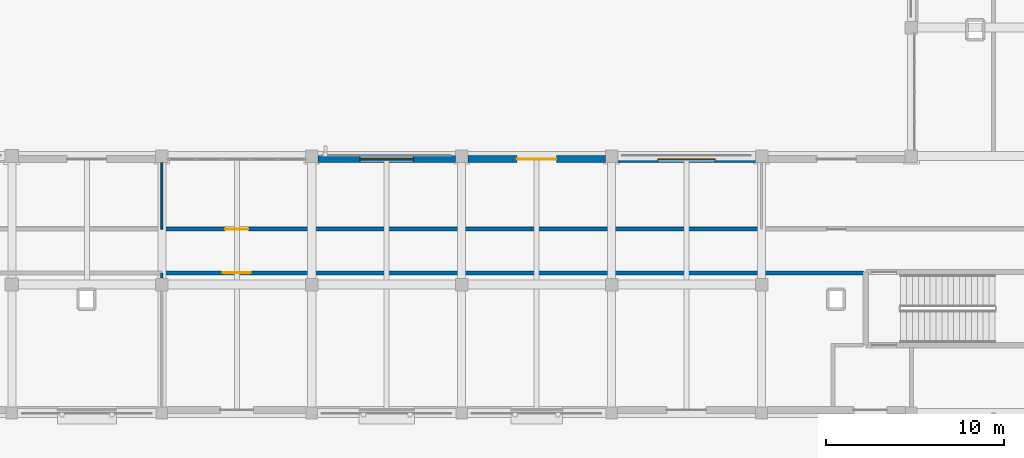
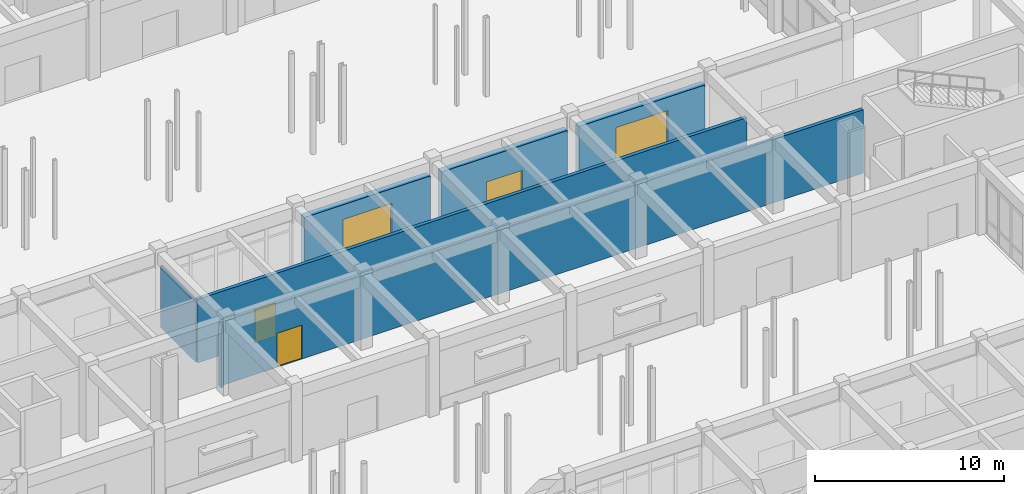
# One storey, part 80 of 121: 7 walls, 3 doors, 2 windows, 5 openings.
"""IFC4 building model written with IfcOpenShell, lengths in metres."""

from ifc_helpers import new_model, si_unit, direction, frame, frame_2d, origin, place, context, subcontext, project, spatial, rectangle, extrude, material, layer, layer_set, type_object, element, fill, save


model = new_model("IFC4")

# Units and contexts
model_context = context("Model", 3, precision=1e-05, world=origin(), true_north=direction((0.0, 1.0)))
body_context = subcontext(model_context, "Body", "Model", "MODEL_VIEW")
ifc_project = project(units=[si_unit("LENGTHUNIT", "METRE"), si_unit("AREAUNIT", "SQUARE_METRE"), si_unit("VOLUMEUNIT", "CUBIC_METRE"), si_unit("PLANEANGLEUNIT", "RADIAN"), si_unit("MASSUNIT", "GRAM", prefix="KILO")], contexts=[model_context])

# Site, building, storey
site_placement = place(None, origin())
site = spatial("IfcSite", under=ifc_project, at=site_placement, CompositionType="ELEMENT")
building_placement = place(site_placement, origin())
building = spatial("IfcBuilding", under=site, at=building_placement, Name="Malvenik Polytechnic", CompositionType="ELEMENT")
storey_placement = place(building_placement, origin())
storey = spatial("IfcBuildingStorey", under=building, at=storey_placement, Name="L00", CompositionType="ELEMENT", Elevation=0.0)

# Wall, opening, window
ifc_material_1 = material(Name="Concrete C30/37", Category="concrete")
ifc_layer_1 = layer(ifc_material_1, 0.3798828125)
ifc_layer_set_1 = layer_set([ifc_layer_1], Name="Concrete C30/37")
wall_type_1 = type_object("IfcWallType", Name="ARC-EW-380", PredefinedType="SOLIDWALL", material=ifc_layer_set_1)
wall_1_placement = place(storey_placement, frame((42.347900390625, 93.429931640625, 0.0), z_axis=(0.0, 0.0, 1.0), x_axis=(1.0, 0.0, 0.0)))
wall_1 = element("IfcWall", 1, at=wall_1_placement, inside=storey, type_object=wall_type_1, Name="External Facade Wall EW-01 L00 #68", PredefinedType="SOLIDWALL", context=body_context, shape_type="SweptSolid", body=[
    extrude(rectangle(XDim=7.7041015625, YDim=0.3798828125, at=frame_2d((3.85205078125, 0.0))), origin(), (0.0, 0.0, 1.0), 4.010009765625),
])
opening_1_placement = place(wall_1_placement, frame((2.35205078125, 0.0, 0.949951171875)))
opening_1 = element("IfcOpeningElement", 2, at=opening_1_placement, cuts=wall_1, Name="Opening W-08", PredefinedType="OPENING", context=body_context, shape_type="SweptSolid", body=[
    extrude(rectangle(XDim=3.0, YDim=2.10009765625, at=frame_2d((1.5, 1.050048828125))), frame((0.0, 0.199951171875, 0.0), z_axis=(0.0, -1.0, 0.0), x_axis=(1.0, 0.0, 0.0)), (0.0, 0.0, 1.0), 0.39990234375),
])
ifc_material_2 = material(Name="Thermally broken aluminium frame with low-E double glazing", Category="aluminium")
window_type_1 = type_object("IfcWindowType", Name="ARC-WIN-W-08", PartitioningType="SINGLE_PANEL", PredefinedType="WINDOW", material=ifc_material_2)
window_1_placement = place(opening_1_placement, origin())
window_1 = element("IfcWindow", 3, at=window_1_placement, inside=storey, type_object=window_type_1, Name="Punched Window W-08 L00 #34", OverallHeight=2.10009765625, OverallWidth=3.0, PartitioningType="SINGLE_PANEL", PredefinedType="WINDOW", context=body_context, shape_type="SweptSolid", body=[
    extrude(rectangle(XDim=3.0, YDim=2.10009765625, at=frame_2d((1.5, 1.050048828125))), frame((0.0, 0.030029296875, 0.0), z_axis=(0.0, -1.0, 0.0), x_axis=(1.0, 0.0, 0.0)), (0.0, 0.0, 1.0), 0.06005859375),
])
fill(opening_1, window_1)

# Wall, opening, door
wall_2_placement = place(storey_placement, frame((50.748046875, 93.429931640625, 0.0), z_axis=(0.0, 0.0, 1.0), x_axis=(1.0, 0.0, 0.0)))
wall_2 = element("IfcWall", 4, at=wall_2_placement, inside=storey, type_object=wall_type_1, Name="External Facade Wall EW-01 L00 #69", PredefinedType="SOLIDWALL", context=body_context, shape_type="SweptSolid", body=[
    extrude(rectangle(XDim=7.703857421875, YDim=0.3798828125, at=frame_2d((3.85205078125, 0.0))), origin(), (0.0, 0.0, 1.0), 4.010009765625),
])
opening_2_placement = place(wall_2_placement, frame((2.751953125, 0.0, 0.0)))
opening_2 = element("IfcOpeningElement", 5, at=opening_2_placement, cuts=wall_2, Name="Opening ED-02", PredefinedType="OPENING", context=body_context, shape_type="SweptSolid", body=[
    extrude(rectangle(XDim=2.199951171875, YDim=2.39990234375, at=frame_2d((1.10009765625, 1.199951171875))), frame((0.0, 0.199951171875, 0.0), z_axis=(0.0, -1.0, 0.0), x_axis=(1.0, 0.0, 0.0)), (0.0, 0.0, 1.0), 0.39990234375),
])
ifc_material_3 = material(Name="Thermally broken glazed aluminium entrance door", Category="aluminium")
door_type_1 = type_object("IfcDoorType", Name="ARC-EDR-ED-02", OperationType="NOTDEFINED", PredefinedType="DOOR", material=ifc_material_3)
door_1_placement = place(opening_2_placement, origin())
door_1 = element("IfcDoor", 6, at=door_1_placement, inside=storey, type_object=door_type_1, Name="External Door ED-02 L00 #17", OperationType="DOUBLE_DOOR_SINGLE_SWING", OverallHeight=2.39990234375, OverallWidth=2.199951171875, PredefinedType="DOOR", context=body_context, shape_type="SweptSolid", body=[
    extrude(rectangle(XDim=2.199951171875, YDim=2.39990234375, at=frame_2d((1.10009765625, 1.199951171875))), frame((0.0, 0.02490234375, 0.0), z_axis=(0.0, -1.0, 0.0), x_axis=(1.0, 0.0, 0.0)), (0.0, 0.0, 1.0), 0.050048828125),
])
fill(opening_2, door_1)

# Wall, opening, window
wall_3_placement = place(storey_placement, frame((59.14794921875, 93.429931640625, 0.0), z_axis=(0.0, 0.0, 1.0), x_axis=(1.0, 0.0, 0.0)))
wall_3 = element("IfcWall", 7, at=wall_3_placement, inside=storey, type_object=wall_type_1, Name="External Facade Wall EW-01 L00 #70", PredefinedType="SOLIDWALL", context=body_context, shape_type="SweptSolid", body=[
    extrude(rectangle(XDim=7.7041015625, YDim=0.3798828125, at=frame_2d((3.85205078125, 0.0))), origin(), (0.0, 0.0, 1.0), 4.010009765625),
])
opening_3_placement = place(wall_3_placement, frame((2.251953125, 0.0, 0.949951171875)))
opening_3 = element("IfcOpeningElement", 8, at=opening_3_placement, cuts=wall_3, Name="Opening W-09", PredefinedType="OPENING", context=body_context, shape_type="SweptSolid", body=[
    extrude(rectangle(XDim=3.199951171875, YDim=2.199951171875, at=frame_2d((1.60009765625, 1.10009765625))), frame((0.0, 0.199951171875, 0.0), z_axis=(0.0, -1.0, 0.0), x_axis=(1.0, 0.0, 0.0)), (0.0, 0.0, 1.0), 0.39990234375),
])
window_type_2 = type_object("IfcWindowType", Name="ARC-WIN-W-09", PartitioningType="SINGLE_PANEL", PredefinedType="WINDOW", material=ifc_material_2)
window_2_placement = place(opening_3_placement, origin())
window_2 = element("IfcWindow", 9, at=window_2_placement, inside=storey, type_object=window_type_2, Name="Punched Window W-09 L00 #35", OverallHeight=2.199951171875, OverallWidth=3.199951171875, PartitioningType="SINGLE_PANEL", PredefinedType="WINDOW", context=body_context, shape_type="SweptSolid", body=[
    extrude(rectangle(XDim=3.199951171875, YDim=2.199951171875, at=frame_2d((1.60009765625, 1.10009765625))), frame((0.0, 0.030029296875, 0.0), z_axis=(0.0, -1.0, 0.0), x_axis=(1.0, 0.0, 0.0)), (0.0, 0.0, 1.0), 0.06005859375),
])
fill(opening_3, window_2)

# Wall, opening, door
ifc_material_4 = material(Name="Autoclaved aerated concrete blockwork 220mm", Category="masonry")
ifc_layer_2 = layer(ifc_material_4, 0.219970703125)
ifc_layer_set_2 = layer_set([ifc_layer_2], Name="Autoclaved aerated concrete blockwork 220mm")
wall_type_2 = type_object("IfcWallType", Name="ARC-FW-220", PredefinedType="SOLIDWALL", material=ifc_layer_set_2)
wall_4_placement = place(storey_placement, frame((33.60009765625, 89.5, 0.0), z_axis=(0.0, 0.0, 1.0), x_axis=(1.0, 0.0, 0.0)))
wall_4 = element("IfcWall", 10, at=wall_4_placement, inside=storey, type_object=wall_type_2, Name="Interior Partition FW-01 L00 #72", PredefinedType="SOLIDWALL", context=body_context, shape_type="SweptSolid", body=[
    extrude(rectangle(XDim=33.599853515625, YDim=0.219970703125, at=frame_2d((16.7998046875, 0.0))), origin(), (0.0, 0.0, 1.0), 4.10498046875),
])
opening_4_placement = place(wall_4_placement, frame((3.550048828125, 0.0, 0.0)))
opening_4 = element("IfcOpeningElement", 11, at=opening_4_placement, cuts=wall_4, Name="Opening FD-04", PredefinedType="OPENING", context=body_context, shape_type="SweptSolid", body=[
    extrude(rectangle(XDim=1.300048828125, YDim=2.14990234375, at=frame_2d((0.64990234375, 1.074951171875))), frame((0.0, 0.1201171875, 0.0), z_axis=(0.0, -1.0, 0.0), x_axis=(1.0, 0.0, 0.0)), (0.0, 0.0, 1.0), 0.239990234375),
])
ifc_material_5 = material(Name="Fire-rated plant room steel door", Category="steel")
door_type_2 = type_object("IfcDoorType", Name="ARC-IDR-FD-04", OperationType="NOTDEFINED", PredefinedType="DOOR", material=ifc_material_5)
door_2_placement = place(opening_4_placement, origin())
door_2 = element("IfcDoor", 12, at=door_2_placement, inside=storey, type_object=door_type_2, Name="Interior Door FD-04 L00 #34", OperationType="SINGLE_SWING_RIGHT", OverallHeight=2.14990234375, OverallWidth=1.300048828125, PredefinedType="DOOR", context=body_context, shape_type="SweptSolid", body=[
    extrude(rectangle(XDim=1.300048828125, YDim=2.14990234375, at=frame_2d((0.64990234375, 1.074951171875))), frame((0.0, 0.02490234375, 0.0), z_axis=(0.0, -1.0, 0.0), x_axis=(1.0, 0.0, 0.0)), (0.0, 0.0, 1.0), 0.050048828125),
])
fill(opening_4, door_2)

wall_5_placement = place(storey_placement, frame((72.909912109375, 87.050048828125, 0.0), z_axis=(0.0, 0.0, 1.0), x_axis=(-1.0, 0.0, 0.0)))
wall_5 = element("IfcWall", 13, at=wall_5_placement, inside=storey, type_object=wall_type_2, Name="Interior Partition FW-01 L00 #82", PredefinedType="SOLIDWALL", context=body_context, shape_type="SweptSolid", body=[
    extrude(rectangle(XDim=39.309814453125, YDim=0.219970703125, at=frame_2d((19.65478515625, 0.0))), origin(), (0.0, 0.0, 1.0), 4.10498046875),
])
opening_5_placement = place(wall_5_placement, frame((34.3349609375, 0.0, 0.0)))
opening_5 = element("IfcOpeningElement", 14, at=opening_5_placement, cuts=wall_5, Name="Opening FD-09", PredefinedType="OPENING", context=body_context, shape_type="SweptSolid", body=[
    extrude(rectangle(XDim=1.550048828125, YDim=2.199951171875, at=frame_2d((0.77490234375, 1.10009765625))), frame((0.0, 0.1201171875, 0.0), z_axis=(0.0, -1.0, 0.0), x_axis=(1.0, 0.0, 0.0)), (0.0, 0.0, 1.0), 0.239990234375),
])
ifc_material_6 = material(Name="Fire-rated studio corridor double door", Category="steel")
door_type_3 = type_object("IfcDoorType", Name="ARC-IDR-FD-09", OperationType="NOTDEFINED", PredefinedType="DOOR", material=ifc_material_6)
door_3_placement = place(opening_5_placement, origin())
door_3 = element("IfcDoor", 15, at=door_3_placement, inside=storey, type_object=door_type_3, Name="Interior Door FD-09 L00 #38", OperationType="DOUBLE_DOOR_SINGLE_SWING", OverallHeight=2.199951171875, OverallWidth=1.550048828125, PredefinedType="DOOR", context=body_context, shape_type="SweptSolid", body=[
    extrude(rectangle(XDim=1.550048828125, YDim=2.199951171875, at=frame_2d((0.77490234375, 1.10009765625))), frame((0.0, 0.02490234375, 0.0), z_axis=(0.0, -1.0, 0.0), x_axis=(1.0, 0.0, 0.0)), (0.0, 0.0, 1.0), 0.050048828125),
])
fill(opening_5, door_3)

# Walls
ifc_material_7 = material(Name="Lightweight gypsum partition 110mm", Category="gypsum")
ifc_layer_3 = layer(ifc_material_7, 0.110107421875)
ifc_layer_set_3 = layer_set([ifc_layer_3], Name="Lightweight gypsum partition 110mm")
wall_type_3 = type_object("IfcWallType", Name="ARC-PW-110", PredefinedType="PARTITIONING", material=ifc_layer_set_3)
wall_6_placement = place(storey_placement, frame((33.60009765625, 89.5, 0.0), z_axis=(0.0, 0.0, 1.0), x_axis=(0.0, 1.0, 0.0)))
element("IfcWall", 16, at=wall_6_placement, inside=storey, type_object=wall_type_3, Name="Interior Partition PW-04I L00 #71", PredefinedType="PARTITIONING", context=body_context, shape_type="SweptSolid", body=[
    extrude(rectangle(XDim=3.72998046875, YDim=0.110107421875, at=frame_2d((1.864990234375, 0.0))), origin(), (0.0, 0.0, 1.0), 4.0048828125),
])
ifc_material_8 = material(Name="Acoustic metal-stud gypsum partition 140mm", Category="gypsum")
ifc_layer_4 = layer(ifc_material_8, 0.139892578125)
ifc_layer_set_4 = layer_set([ifc_layer_4], Name="Acoustic metal-stud gypsum partition 140mm")
wall_type_4 = type_object("IfcWallType", Name="ARC-PW-140", PredefinedType="PARTITIONING", material=ifc_layer_set_4)
wall_7_placement = place(storey_placement, frame((33.60009765625, 86.77001953125, 0.0), z_axis=(0.0, 0.0, 1.0), x_axis=(0.0, 1.0, 0.0)))
element("IfcWall", 17, at=wall_7_placement, inside=storey, type_object=wall_type_4, Name="Interior Partition PW-02I L00 #81", PredefinedType="PARTITIONING", context=body_context, shape_type="SweptSolid", body=[
    extrude(rectangle(XDim=0.280029296875, YDim=0.139892578125, at=frame_2d((0.14013671875, 0.0))), origin(), (0.0, 0.0, 1.0), 4.0048828125),
])

save(model, "model.ifc")
